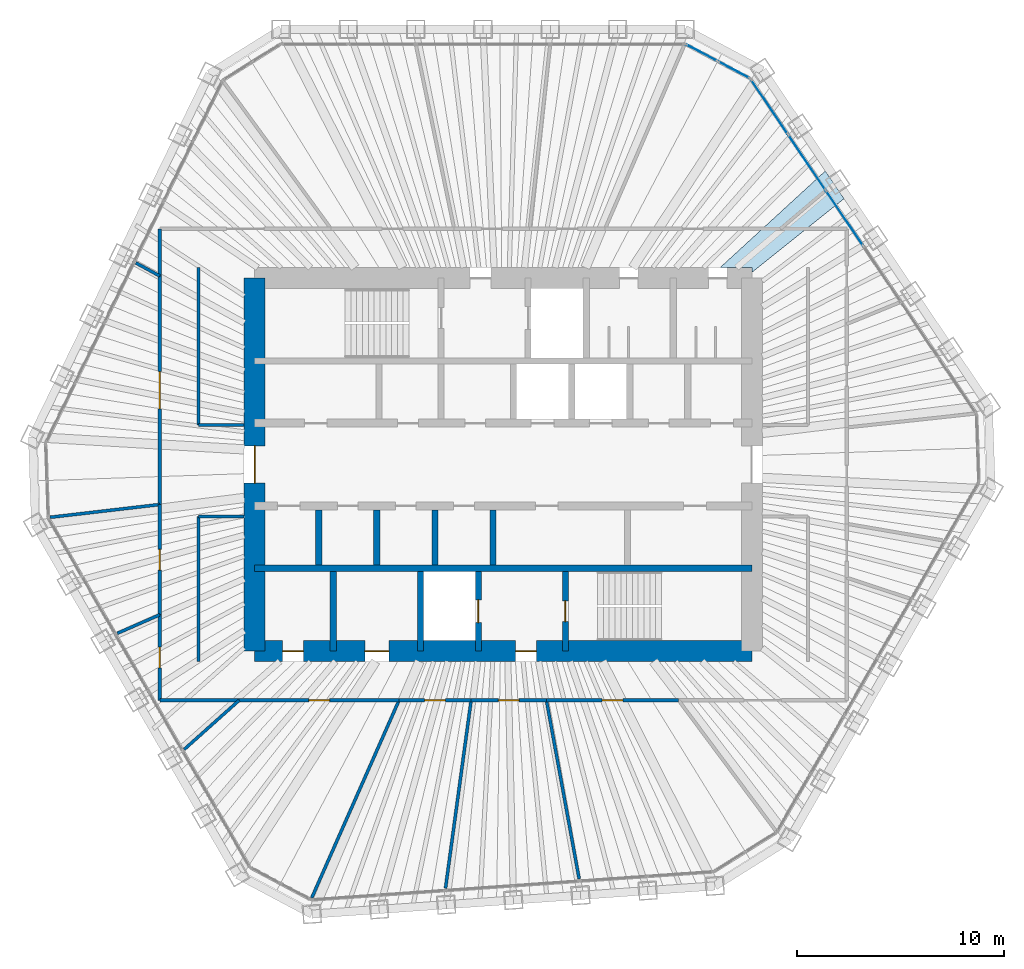
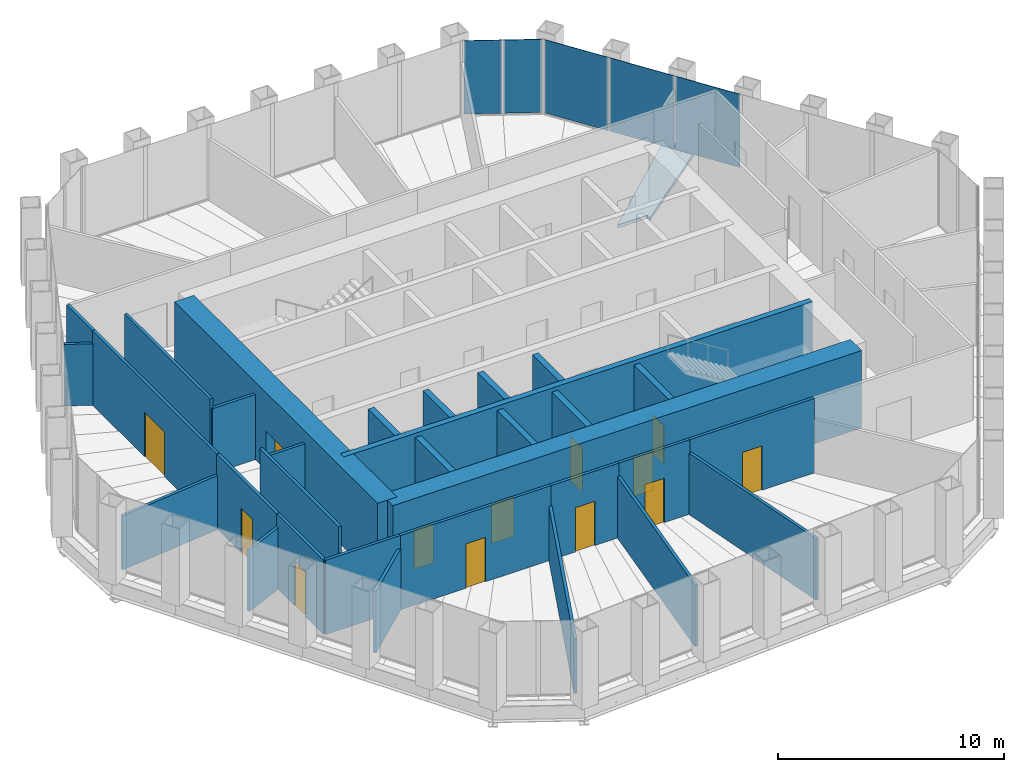
# One storey, part 11 of 14: 31 walls, 13 doors, 5 plates, 1 slab, 13 openings, 2 elements without a shape of their own.
"""IFC4 building model written with IfcOpenShell, lengths in metres."""

from ifc_helpers import new_model, si_unit, direction, frame, frame_2d, origin, origin_2d, place, context, subcontext, project, spatial, polyline, rectangle, outline, extrude, material, layer, layer_set, type_object, element, fill, aggregate, save


model = new_model("IFC4")

# Units and contexts
model_context = context("Model", 3, precision=1e-05, world=origin(), true_north=direction((0.0, 1.0)))
body_context = subcontext(model_context, "Body", "Model", "MODEL_VIEW")
ifc_project = project(units=[si_unit("LENGTHUNIT", "METRE"), si_unit("AREAUNIT", "SQUARE_METRE"), si_unit("VOLUMEUNIT", "CUBIC_METRE"), si_unit("PLANEANGLEUNIT", "RADIAN"), si_unit("MASSUNIT", "GRAM", prefix="KILO")], contexts=[model_context])

# Site, building, storey
site_placement = place(None, origin())
site = spatial("IfcSite", under=ifc_project, at=site_placement, CompositionType="ELEMENT")
building_placement = place(site_placement, origin())
building = spatial("IfcBuilding", under=site, at=building_placement, Name="Qingtian Harvest Tower", CompositionType="ELEMENT")
storey_placement = place(building_placement, frame((0.0, 0.0, 283.0)))
storey = spatial("IfcBuildingStorey", under=building, at=storey_placement, Name="L62", CompositionType="ELEMENT", Elevation=283.0)

# Slab
ifc_material_1 = material(Name="Concrete fc' 35 MPa", Category="concrete")
ifc_layer_1 = layer(ifc_material_1, 0.169921875)
ifc_layer_set_1 = layer_set([ifc_layer_1], Name="Composite floor slab FS17 170")
slab_type = type_object("IfcSlabType", Name="Composite floor slab FS17 170", PredefinedType="FLOOR", material=ifc_layer_set_1)
slab_placement = place(storey_placement, frame((0.0, 0.0, -0.169921875)))
element("IfcSlab", 1, at=slab_placement, inside=storey, type_object=slab_type, Name="Floor slab L62 panel D48", PredefinedType="FLOOR", context=body_context, shape_type="SweptSolid", body=[
    extrude(outline(polyline([(12.0, 9.5), (10.4599609375, 9.5), (15.541259765625, 14.16455078125), (16.44189453125, 12.829345703125), (12.0, 9.2734375), (12.0, 9.5)])), origin(), (0.0, 0.0, 1.0), 0.169921875),
])

# Curtain wall, plates
ifc_material_2 = material(Name="Bronze-anodised aluminium curtain wall", Category="aluminium")
curtain_wall_type = type_object("IfcCurtainWallType", Name="Curtain wall CW5 upper office", PredefinedType="USERDEFINED", material=ifc_material_2)
curtain_wall_1_placement = place(storey_placement, origin())
curtain_wall_1 = element("IfcCurtainWall", 2, at=curtain_wall_1_placement, inside=storey, type_object=curtain_wall_type, Name="Curtain wall CW5 L62 NC", ObjectType="RECESSED CURTAIN WALL", PredefinedType="USERDEFINED")
ifc_material_3 = material(Name="Bronze-tinted laminated insulating glass", Category="glass")
ifc_layer_2 = layer(ifc_material_3, 0.030029296875)
ifc_layer_set_2 = layer_set([ifc_layer_2], Name="Glazed panel CWP tinted IGU")
plate_type = type_object("IfcPlateType", Name="Glazed panel CWP tinted IGU", PredefinedType="CURTAIN_PANEL", material=ifc_layer_set_2)
plate_1_placement = place(storey_placement, frame((9.57080078125, 19.8720703125, 0.06494140625), z_axis=(0.0, 0.0, 1.0), x_axis=(0.882947592859, -0.469471562786, 0.0)))
plate_1 = element("IfcPlate", 3, at=plate_1_placement, type_object=plate_type, Name="CW5 panel 1.1", PredefinedType="CURTAIN_PANEL", context=body_context, shape_type="SweptSolid", body=[
    extrude(rectangle(XDim=1.69287109375, YDim=0.030029296875, at=origin_2d()), origin(), (0.0, 0.0, 1.0), 3.965087890625),
])
plate_2_placement = place(storey_placement, frame((11.122802734375, 19.046875, 0.06494140625), z_axis=(0.0, 0.0, 1.0), x_axis=(0.882947592859, -0.469471562786, 0.0)))
plate_2 = element("IfcPlate", 4, at=plate_2_placement, type_object=plate_type, Name="CW5 panel 2.1", PredefinedType="CURTAIN_PANEL", context=body_context, shape_type="SweptSolid", body=[
    extrude(rectangle(XDim=1.69287109375, YDim=0.030029296875, at=origin_2d()), origin(), (0.0, 0.0, 1.0), 3.965087890625),
])
aggregate(curtain_wall_1, [plate_1, plate_2])

curtain_wall_2_placement = place(storey_placement, origin())
curtain_wall_2 = element("IfcCurtainWall", 5, at=curtain_wall_2_placement, inside=storey, type_object=curtain_wall_type, Name="Curtain wall CW5 L62 NE0-5", ObjectType="RECESSED CURTAIN WALL", PredefinedType="USERDEFINED")
plate_3_placement = place(storey_placement, frame((12.844970703125, 17.259033203125, 0.06494140625), z_axis=(0.0, 0.0, 1.0), x_axis=(0.559192903471, -0.829037572555, 0.0)))
plate_3 = element("IfcPlate", 6, at=plate_3_placement, type_object=plate_type, Name="CW5 panel 1.1", PredefinedType="CURTAIN_PANEL", context=body_context, shape_type="SweptSolid", body=[
    extrude(rectangle(XDim=3.150634765625, YDim=0.030029296875, at=origin_2d()), origin(), (0.0, 0.0, 1.0), 3.965087890625),
])
plate_4_placement = place(storey_placement, frame((14.652099609375, 14.579833984375, 0.06494140625), z_axis=(0.0, 0.0, 1.0), x_axis=(0.559192903471, -0.829037572555, 0.0)))
plate_4 = element("IfcPlate", 7, at=plate_4_placement, type_object=plate_type, Name="CW5 panel 2.1", PredefinedType="CURTAIN_PANEL", context=body_context, shape_type="SweptSolid", body=[
    extrude(rectangle(XDim=3.18310546875, YDim=0.030029296875, at=origin_2d()), origin(), (0.0, 0.0, 1.0), 3.965087890625),
])
plate_5_placement = place(storey_placement, frame((16.46826171875, 11.886962890625, 0.06494140625), z_axis=(0.0, 0.0, 1.0), x_axis=(0.559192903471, -0.829037572555, 0.0)))
plate_5 = element("IfcPlate", 8, at=plate_5_placement, type_object=plate_type, Name="CW5 panel 3.1", PredefinedType="CURTAIN_PANEL", context=body_context, shape_type="SweptSolid", body=[
    extrude(rectangle(XDim=3.18310546875, YDim=0.030029296875, at=origin_2d()), origin(), (0.0, 0.0, 1.0), 3.965087890625),
])
aggregate(curtain_wall_2, [plate_3, plate_4, plate_5])

# Walls
ifc_material_4 = material(Name="Concrete fc' 70 MPa", Category="concrete")
ifc_layer_3 = layer(ifc_material_4, 0.300048828125)
ifc_layer_set_3 = layer_set([ifc_layer_3], Name="Core inner wall RC5 300")
wall_type_1 = type_object("IfcWallType", Name="Core inner wall RC5 300", PredefinedType="SHEAR", material=ifc_layer_set_3)
wall_1_placement = place(storey_placement, frame((-12.0, -5.0, 0.0), z_axis=(0.0, 0.0, 1.0), x_axis=(1.0, 0.0, 0.0)))
element("IfcWall", 9, at=wall_1_placement, inside=storey, type_object=wall_type_1, Name="Core wall IS5 L62", PredefinedType="SHEAR", context=body_context, shape_type="SweptSolid", body=[
    extrude(rectangle(XDim=24.0, YDim=0.300048828125, at=frame_2d((12.0, 0.0))), origin(), (0.0, 0.0, 1.0), 4.199951171875),
])
ifc_material_5 = material(Name="Precast concrete shaft panel", Category="concrete")
ifc_layer_4 = layer(ifc_material_5, 0.300048828125)
ifc_layer_set_4 = layer_set([ifc_layer_4], Name="Core shaft partition SW1 300")
wall_type_2 = type_object("IfcWallType", Name="Core shaft partition SW1 300", PredefinedType="PARTITIONING", material=ifc_layer_set_4)
for number, where, z_axis, x_axis, name in (
    (10, (-8.89990234375, -4.85009765625, 0.0), (0.0, 0.0, 1.0), (0.0, 1.0, 0.0), "Core shaft partition XB1 L62"),
    (11, (-6.10009765625, -4.85009765625, 0.0), (0.0, 0.0, 1.0), (0.0, 1.0, 0.0), "Core shaft partition XB2 L62"),
    (12, (-3.300048828125, -4.85009765625, 0.0), (0.0, 0.0, 1.0), (0.0, 1.0, 0.0), "Core shaft partition XB3 L62"),
    (13, (-0.5, -4.85009765625, 0.0), (0.0, 0.0, 1.0), (0.0, 1.0, 0.0), "Core shaft partition XB4 L62"),
):
    element("IfcWall", number, at=place(storey_placement, frame(where, z_axis=z_axis, x_axis=x_axis)), inside=storey, type_object=wall_type_2, Name=name, PredefinedType="PARTITIONING", context=body_context, shape_type="SweptSolid", body=[
        extrude(rectangle(XDim=2.650146484375, YDim=0.300048828125, at=frame_2d((1.3251953125, 0.0))), origin(), (0.0, 0.0, 1.0), 3.97998046875),
    ])
for number, where, z_axis, x_axis, name in (
    (14, (-8.199951171875, -9.0, 0.0), (0.0, 0.0, 1.0), (0.0, 1.0, 0.0), "Core shaft partition XS1 L62"),
    (15, (-4.0, -9.0, 0.0), (0.0, 0.0, 1.0), (0.0, 1.0, 0.0), "Core shaft partition XS2 L62"),
):
    element("IfcWall", number, at=place(storey_placement, frame(where, z_axis=z_axis, x_axis=x_axis)), inside=storey, type_object=wall_type_2, Name=name, PredefinedType="PARTITIONING", context=body_context, shape_type="SweptSolid", body=[
        extrude(rectangle(XDim=3.85009765625, YDim=0.300048828125, at=frame_2d((1.925048828125, 0.0))), origin(), (0.0, 0.0, 1.0), 3.97998046875),
    ])

# Wall, opening, door
wall_2_placement = place(storey_placement, frame((-1.199951171875, -9.0, 0.0), z_axis=(0.0, 0.0, 1.0), x_axis=(0.0, 1.0, 0.0)))
wall_2 = element("IfcWall", 16, at=wall_2_placement, inside=storey, type_object=wall_type_2, Name="Core shaft partition XS3 L62", PredefinedType="PARTITIONING", context=body_context, shape_type="SweptSolid", body=[
    extrude(rectangle(XDim=3.85009765625, YDim=0.300048828125, at=frame_2d((1.925048828125, 0.0))), origin(), (0.0, 0.0, 1.0), 3.97998046875),
])
opening_1_placement = place(wall_2_placement, frame((1.375, 0.0, 0.0)))
opening_1 = element("IfcOpeningElement", 17, at=opening_1_placement, cuts=wall_2, Name="Opening LD1", PredefinedType="OPENING", context=body_context, shape_type="SweptSolid", body=[
    extrude(rectangle(XDim=1.10009765625, YDim=2.39990234375, at=frame_2d((0.550048828125, 1.199951171875))), frame((0.0, 0.159912109375, 0.0), z_axis=(0.0, -1.0, 0.0), x_axis=(1.0, 0.0, 0.0)), (0.0, 0.0, 1.0), 0.320068359375),
])
ifc_material_6 = material(Name="Stainless steel lift landing door", Category="steel")
door_type_1 = type_object("IfcDoorType", Name="Lift landing door LD1 1 HR", OperationType="DOUBLE_DOOR_SLIDING", PredefinedType="DOOR", material=ifc_material_6)
door_1_placement = place(opening_1_placement, origin())
door_1 = element("IfcDoor", 18, at=door_1_placement, inside=storey, type_object=door_type_1, Name="FL2 landing door L62", OperationType="DOUBLE_DOOR_SLIDING", OverallHeight=2.39990234375, OverallWidth=1.10009765625, PredefinedType="DOOR", context=body_context, shape_type="SweptSolid", body=[
    extrude(rectangle(XDim=1.10009765625, YDim=2.39990234375, at=frame_2d((0.550048828125, 1.199951171875))), frame((0.0, 0.02490234375, 0.0), z_axis=(0.0, -1.0, 0.0), x_axis=(1.0, 0.0, 0.0)), (0.0, 0.0, 1.0), 0.050048828125),
])
fill(opening_1, door_1)

wall_3_placement = place(storey_placement, frame((3.0, -9.0, 0.0), z_axis=(0.0, 0.0, 1.0), x_axis=(0.0, 1.0, 0.0)))
wall_3 = element("IfcWall", 19, at=wall_3_placement, inside=storey, type_object=wall_type_2, Name="Core shaft partition XS4 L62", PredefinedType="PARTITIONING", context=body_context, shape_type="SweptSolid", body=[
    extrude(rectangle(XDim=3.85009765625, YDim=0.300048828125, at=frame_2d((1.925048828125, 0.0))), origin(), (0.0, 0.0, 1.0), 3.97998046875),
])
opening_2_placement = place(wall_3_placement, frame((1.425048828125, 0.0, 0.0)))
opening_2 = element("IfcOpeningElement", 20, at=opening_2_placement, cuts=wall_3, Name="Opening FD1", PredefinedType="OPENING", context=body_context, shape_type="SweptSolid", body=[
    extrude(rectangle(XDim=1.0, YDim=2.10009765625, at=frame_2d((0.5, 1.050048828125))), frame((0.0, 0.159912109375, 0.0), z_axis=(0.0, -1.0, 0.0), x_axis=(1.0, 0.0, 0.0)), (0.0, 0.0, 1.0), 0.320068359375),
])
ifc_material_7 = material(Name="Steel-faced door leaf", Category="steel")
door_type_2 = type_object("IfcDoorType", Name="Fire door FD1 single 1 HR", OperationType="SINGLE_SWING_LEFT", PredefinedType="DOOR", material=ifc_material_7)
door_2_placement = place(opening_2_placement, origin())
door_2 = element("IfcDoor", 21, at=door_2_placement, inside=storey, type_object=door_type_2, Name="S2 door L62", OperationType="SINGLE_SWING_LEFT", OverallHeight=2.10009765625, OverallWidth=1.0, PredefinedType="DOOR", context=body_context, shape_type="SweptSolid", body=[
    extrude(rectangle(XDim=1.0, YDim=2.10009765625, at=frame_2d((0.5, 1.050048828125))), frame((0.0, 0.02490234375, 0.0), z_axis=(0.0, -1.0, 0.0), x_axis=(1.0, 0.0, 0.0)), (0.0, 0.0, 1.0), 0.050048828125),
])
fill(opening_2, door_2)

# Wall, openings, doors
ifc_material_8 = material(Name="Concrete fc' 70 MPa", Category="concrete")
ifc_layer_5 = layer(ifc_material_8, 1.0)
ifc_layer_set_5 = layer_set([ifc_layer_5], Name="Core wall RC3 1000")
wall_type_3 = type_object("IfcWallType", Name="Core wall RC3 1000", PredefinedType="SHEAR", material=ifc_layer_set_5)
wall_4_placement = place(storey_placement, frame((-12.0, -9.0, 0.0), z_axis=(0.0, 0.0, 1.0), x_axis=(1.0, 0.0, 0.0)))
wall_4 = element("IfcWall", 22, at=wall_4_placement, inside=storey, type_object=wall_type_3, Name="Core wall CS L62", PredefinedType="SHEAR", context=body_context, shape_type="SweptSolid", body=[
    extrude(rectangle(XDim=24.0, YDim=1.0, at=frame_2d((12.0, 0.0))), origin(), (0.0, 0.0, 1.0), 4.199951171875),
])
opening_3_placement = place(wall_4_placement, frame((1.35009765625, 0.0, 0.0)))
opening_3 = element("IfcOpeningElement", 23, at=opening_3_placement, cuts=wall_4, Name="Opening FD1", PredefinedType="OPENING", context=body_context, shape_type="SweptSolid", body=[
    extrude(rectangle(XDim=1.0, YDim=2.10009765625, at=frame_2d((0.5, 1.050048828125))), frame((0.0, 0.510009765625, 0.0), z_axis=(0.0, -1.0, 0.0), x_axis=(1.0, 0.0, 0.0)), (0.0, 0.0, 1.0), 1.02001953125),
])
opening_4_placement = place(wall_4_placement, frame((5.324951171875, 0.0, 0.0)))
opening_4 = element("IfcOpeningElement", 24, at=opening_4_placement, cuts=wall_4, Name="Opening AD1", PredefinedType="OPENING", context=body_context, shape_type="SweptSolid", body=[
    extrude(rectangle(XDim=1.14990234375, YDim=2.10009765625, at=frame_2d((0.574951171875, 1.050048828125))), frame((0.0, 0.510009765625, 0.0), z_axis=(0.0, -1.0, 0.0), x_axis=(1.0, 0.0, 0.0)), (0.0, 0.0, 1.0), 1.02001953125),
])
opening_5_placement = place(wall_4_placement, frame((12.60009765625, 0.0, 0.0)))
opening_5 = element("IfcOpeningElement", 25, at=opening_5_placement, cuts=wall_4, Name="Opening FD1", PredefinedType="OPENING", context=body_context, shape_type="SweptSolid", body=[
    extrude(rectangle(XDim=1.0, YDim=2.10009765625, at=frame_2d((0.5, 1.050048828125))), frame((0.0, 0.510009765625, 0.0), z_axis=(0.0, -1.0, 0.0), x_axis=(1.0, 0.0, 0.0)), (0.0, 0.0, 1.0), 1.02001953125),
])
ifc_material_9 = material(Name="Laminated timber door leaf", Category="wood")
door_type_3 = type_object("IfcDoorType", Name="Accessible WC door AD1 single", OperationType="SINGLE_SWING_LEFT", PredefinedType="DOOR", material=ifc_material_9)
door_3_placement = place(opening_4_placement, origin())
door_3 = element("IfcDoor", 26, at=door_3_placement, inside=storey, type_object=door_type_3, Name="AWC door L62", OperationType="SINGLE_SWING_RIGHT", OverallHeight=2.10009765625, OverallWidth=1.14990234375, PredefinedType="DOOR", context=body_context, shape_type="SweptSolid", body=[
    extrude(rectangle(XDim=1.14990234375, YDim=2.10009765625, at=frame_2d((0.574951171875, 1.050048828125))), frame((0.0, 0.02490234375, 0.0), z_axis=(0.0, -1.0, 0.0), x_axis=(1.0, 0.0, 0.0)), (0.0, 0.0, 1.0), 0.050048828125),
])
fill(opening_4, door_3)
door_4_placement = place(opening_3_placement, origin())
door_4 = element("IfcDoor", 27, at=door_4_placement, inside=storey, type_object=door_type_2, Name="CLN door L62", OperationType="SINGLE_SWING_LEFT", OverallHeight=2.10009765625, OverallWidth=1.0, PredefinedType="DOOR", context=body_context, shape_type="SweptSolid", body=[
    extrude(rectangle(XDim=1.0, YDim=2.10009765625, at=frame_2d((0.5, 1.050048828125))), frame((0.0, 0.02490234375, 0.0), z_axis=(0.0, -1.0, 0.0), x_axis=(1.0, 0.0, 0.0)), (0.0, 0.0, 1.0), 0.050048828125),
])
fill(opening_3, door_4)
door_5_placement = place(opening_5_placement, origin())
door_5 = element("IfcDoor", 28, at=door_5_placement, inside=storey, type_object=door_type_2, Name="V2 door L62", OperationType="SINGLE_SWING_LEFT", OverallHeight=2.10009765625, OverallWidth=1.0, PredefinedType="DOOR", context=body_context, shape_type="SweptSolid", body=[
    extrude(rectangle(XDim=1.0, YDim=2.10009765625, at=frame_2d((0.5, 1.050048828125))), frame((0.0, 0.02490234375, 0.0), z_axis=(0.0, -1.0, 0.0), x_axis=(1.0, 0.0, 0.0)), (0.0, 0.0, 1.0), 0.050048828125),
])
fill(opening_5, door_5)

# Wall, opening, door
wall_5_placement = place(storey_placement, frame((-12.0, -9.0, 0.0), z_axis=(0.0, 0.0, 1.0), x_axis=(0.0, 1.0, 0.0)))
wall_5 = element("IfcWall", 29, at=wall_5_placement, inside=storey, type_object=wall_type_3, Name="Core wall CW L62", PredefinedType="SHEAR", context=body_context, shape_type="SweptSolid", body=[
    extrude(rectangle(XDim=18.0, YDim=1.0, at=frame_2d((9.0, 0.0))), origin(), (0.0, 0.0, 1.0), 4.199951171875),
])
opening_6_placement = place(wall_5_placement, frame((8.10009765625, 0.0, 0.0)))
opening_6 = element("IfcOpeningElement", 30, at=opening_6_placement, cuts=wall_5, Name="Opening FD2", PredefinedType="OPENING", context=body_context, shape_type="SweptSolid", body=[
    extrude(rectangle(XDim=1.800048828125, YDim=2.10009765625, at=frame_2d((0.89990234375, 1.050048828125))), frame((0.0, 0.510009765625, 0.0), z_axis=(0.0, -1.0, 0.0), x_axis=(1.0, 0.0, 0.0)), (0.0, 0.0, 1.0), 1.02001953125),
])
ifc_material_10 = material(Name="Steel-faced door leaf", Category="steel")
door_type_4 = type_object("IfcDoorType", Name="Fire door FD2 double 1 HR", OperationType="DOUBLE_DOOR_DOUBLE_SWING", PredefinedType="DOOR", material=ifc_material_10)
door_6_placement = place(opening_6_placement, origin())
door_6 = element("IfcDoor", 31, at=door_6_placement, inside=storey, type_object=door_type_4, Name="LOBBY-W door L62", OperationType="DOUBLE_DOOR_DOUBLE_SWING", OverallHeight=2.10009765625, OverallWidth=1.800048828125, PredefinedType="DOOR", context=body_context, shape_type="SweptSolid", body=[
    extrude(rectangle(XDim=1.800048828125, YDim=2.10009765625, at=frame_2d((0.89990234375, 1.050048828125))), frame((0.0, 0.02490234375, 0.0), z_axis=(0.0, -1.0, 0.0), x_axis=(1.0, 0.0, 0.0)), (0.0, 0.0, 1.0), 0.050048828125),
])
fill(opening_6, door_6)

ifc_material_11 = material(Name="Gypsum board on steel studs", Category="steel")
ifc_layer_6 = layer(ifc_material_11, 0.14990234375)
ifc_layer_set_6 = layer_set([ifc_layer_6], Name="Partition PT1 150")
wall_type_4 = type_object("IfcWallType", Name="Partition PT1 150", PredefinedType="PARTITIONING", material=ifc_layer_set_6)
wall_6_placement = place(storey_placement, frame((8.46142578125, -11.375, 0.0), z_axis=(0.0, 0.0, 1.0), x_axis=(-1.0, 0.0, 0.0)))
wall_6 = element("IfcWall", 32, at=wall_6_placement, inside=storey, type_object=wall_type_4, Name="Pantry wall L62", PredefinedType="PARTITIONING", context=body_context, shape_type="SweptSolid", body=[
    extrude(rectangle(XDim=6.3779296875, YDim=0.14990234375, at=frame_2d((3.18896484375, 0.0))), origin(), (0.0, 0.0, 1.0), 4.030029296875),
])
opening_7_placement = place(wall_6_placement, frame((2.68896484375, 0.0, 0.0)))
opening_7 = element("IfcOpeningElement", 33, at=opening_7_placement, cuts=wall_6, Name="Opening D2", PredefinedType="OPENING", context=body_context, shape_type="SweptSolid", body=[
    extrude(rectangle(XDim=1.0, YDim=2.39990234375, at=frame_2d((0.5, 1.199951171875))), frame((0.0, 0.0849609375, 0.0), z_axis=(0.0, -1.0, 0.0), x_axis=(1.0, 0.0, 0.0)), (0.0, 0.0, 1.0), 0.169921875),
])
ifc_material_12 = material(Name="Laminated timber door leaf", Category="wood")
door_type_5 = type_object("IfcDoorType", Name="Room door D2 single", OperationType="SINGLE_SWING_LEFT", PredefinedType="DOOR", material=ifc_material_12)
door_7_placement = place(opening_7_placement, origin())
door_7 = element("IfcDoor", 34, at=door_7_placement, inside=storey, type_object=door_type_5, Name="Pantry door L62", OperationType="SINGLE_SWING_RIGHT", OverallHeight=2.39990234375, OverallWidth=1.0, PredefinedType="DOOR", context=body_context, shape_type="SweptSolid", body=[
    extrude(rectangle(XDim=1.0, YDim=2.39990234375, at=frame_2d((0.5, 1.199951171875))), frame((0.0, 0.02490234375, 0.0), z_axis=(0.0, -1.0, 0.0), x_axis=(1.0, 0.0, 0.0)), (0.0, 0.0, 1.0), 0.050048828125),
])
fill(opening_7, door_7)

# Wall
wall_7_placement = place(storey_placement, frame((3.662353515625, -19.993896484375, 0.0), z_axis=(0.0, 0.0, 1.0), x_axis=(-0.18018724377, 0.983632328252, 0.0)))
element("IfcWall", 35, at=wall_7_placement, inside=storey, type_object=wall_type_4, Name="Print room wall L62", PredefinedType="PARTITIONING", context=body_context, shape_type="SweptSolid", body=[
    extrude(rectangle(XDim=8.76220703125, YDim=0.14990234375, at=frame_2d((4.381103515625, 0.0))), origin(), (0.0, 0.0, 1.0), 3.330078125),
])

# Wall, opening, door
wall_8_placement = place(storey_placement, frame((2.08349609375, -11.375, 0.0), z_axis=(0.0, 0.0, 1.0), x_axis=(-1.0, 0.0, 0.0)))
wall_8 = element("IfcWall", 36, at=wall_8_placement, inside=storey, type_object=wall_type_4, Name="Print room wall L62", PredefinedType="PARTITIONING", context=body_context, shape_type="SweptSolid", body=[
    extrude(rectangle(XDim=3.633544921875, YDim=0.14990234375, at=frame_2d((1.81689453125, 0.0))), origin(), (0.0, 0.0, 1.0), 4.030029296875),
])
opening_8_placement = place(wall_8_placement, frame((1.31689453125, 0.0, 0.0)))
opening_8 = element("IfcOpeningElement", 37, at=opening_8_placement, cuts=wall_8, Name="Opening D2", PredefinedType="OPENING", context=body_context, shape_type="SweptSolid", body=[
    extrude(rectangle(XDim=1.0, YDim=2.39990234375, at=frame_2d((0.5, 1.199951171875))), frame((0.0, 0.0849609375, 0.0), z_axis=(0.0, -1.0, 0.0), x_axis=(1.0, 0.0, 0.0)), (0.0, 0.0, 1.0), 0.169921875),
])
door_8_placement = place(opening_8_placement, origin())
door_8 = element("IfcDoor", 38, at=door_8_placement, inside=storey, type_object=door_type_5, Name="Print room door L62", OperationType="SINGLE_SWING_RIGHT", OverallHeight=2.39990234375, OverallWidth=1.0, PredefinedType="DOOR", context=body_context, shape_type="SweptSolid", body=[
    extrude(rectangle(XDim=1.0, YDim=2.39990234375, at=frame_2d((0.5, 1.199951171875))), frame((0.0, 0.02490234375, 0.0), z_axis=(0.0, -1.0, 0.0), x_axis=(1.0, 0.0, 0.0)), (0.0, 0.0, 1.0), 0.050048828125),
])
fill(opening_8, door_8)

# Wall
wall_9_placement = place(storey_placement, frame((-2.786376953125, -20.4462890625, 0.0), z_axis=(0.0, 0.0, 1.0), x_axis=(0.135041803834, 0.99083990191, 0.0)))
element("IfcWall", 39, at=wall_9_placement, inside=storey, type_object=wall_type_4, Name="Meeting room wall L62", PredefinedType="PARTITIONING", context=body_context, shape_type="SweptSolid", body=[
    extrude(rectangle(XDim=9.155029296875, YDim=0.14990234375, at=frame_2d((4.57763671875, 0.0))), origin(), (0.0, 0.0, 1.0), 3.330078125),
])

# Wall, opening, door
wall_10_placement = place(storey_placement, frame((-1.550048828125, -11.375, 0.0), z_axis=(0.0, 0.0, 1.0), x_axis=(-1.0, 0.0, 0.0)))
wall_10 = element("IfcWall", 40, at=wall_10_placement, inside=storey, type_object=wall_type_4, Name="Meeting room wall L62", PredefinedType="PARTITIONING", context=body_context, shape_type="SweptSolid", body=[
    extrude(rectangle(XDim=3.47705078125, YDim=0.14990234375, at=frame_2d((1.738525390625, 0.0))), origin(), (0.0, 0.0, 1.0), 4.030029296875),
])
opening_9_placement = place(wall_10_placement, frame((1.238525390625, 0.0, 0.0)))
opening_9 = element("IfcOpeningElement", 41, at=opening_9_placement, cuts=wall_10, Name="Opening D2", PredefinedType="OPENING", context=body_context, shape_type="SweptSolid", body=[
    extrude(rectangle(XDim=1.0, YDim=2.39990234375, at=frame_2d((0.5, 1.199951171875))), frame((0.0, 0.0849609375, 0.0), z_axis=(0.0, -1.0, 0.0), x_axis=(1.0, 0.0, 0.0)), (0.0, 0.0, 1.0), 0.169921875),
])
door_9_placement = place(opening_9_placement, origin())
door_9 = element("IfcDoor", 42, at=door_9_placement, inside=storey, type_object=door_type_5, Name="Meeting room door L62", OperationType="SINGLE_SWING_LEFT", OverallHeight=2.39990234375, OverallWidth=1.0, PredefinedType="DOOR", context=body_context, shape_type="SweptSolid", body=[
    extrude(rectangle(XDim=1.0, YDim=2.39990234375, at=frame_2d((0.5, 1.199951171875))), frame((0.0, 0.02490234375, 0.0), z_axis=(0.0, -1.0, 0.0), x_axis=(1.0, 0.0, 0.0)), (0.0, 0.0, 1.0), 0.050048828125),
])
fill(opening_9, door_9)

# Wall
wall_11_placement = place(storey_placement, frame((-9.23974609375, -20.906982421875, 0.0), z_axis=(0.0, 0.0, 1.0), x_axis=(0.404231308238, 0.914656793251, 0.0)))
element("IfcWall", 43, at=wall_11_placement, inside=storey, type_object=wall_type_4, Name="Workplace zone wall L62", PredefinedType="PARTITIONING", context=body_context, shape_type="SweptSolid", body=[
    extrude(rectangle(XDim=10.42138671875, YDim=0.14990234375, at=frame_2d((5.210693359375, 0.0))), origin(), (0.0, 0.0, 1.0), 2.929931640625),
])

# Wall, opening, door
wall_12_placement = place(storey_placement, frame((-5.027099609375, -11.375, 0.0), z_axis=(0.0, 0.0, 1.0), x_axis=(-1.0, 0.0, 0.0)))
wall_12 = element("IfcWall", 44, at=wall_12_placement, inside=storey, type_object=wall_type_4, Name="Workplace zone wall L62", PredefinedType="PARTITIONING", context=body_context, shape_type="SweptSolid", body=[
    extrude(rectangle(XDim=7.712890625, YDim=0.14990234375, at=frame_2d((3.8564453125, 0.0))), origin(), (0.0, 0.0, 1.0), 4.030029296875),
])
opening_10_placement = place(wall_12_placement, frame((3.3564453125, 0.0, 0.0)))
opening_10 = element("IfcOpeningElement", 45, at=opening_10_placement, cuts=wall_12, Name="Opening D2", PredefinedType="OPENING", context=body_context, shape_type="SweptSolid", body=[
    extrude(rectangle(XDim=1.0, YDim=2.39990234375, at=frame_2d((0.5, 1.199951171875))), frame((0.0, 0.0849609375, 0.0), z_axis=(0.0, -1.0, 0.0), x_axis=(1.0, 0.0, 0.0)), (0.0, 0.0, 1.0), 0.169921875),
])
door_10_placement = place(opening_10_placement, origin())
door_10 = element("IfcDoor", 46, at=door_10_placement, inside=storey, type_object=door_type_5, Name="Workplace zone door L62", OperationType="SINGLE_SWING_LEFT", OverallHeight=2.39990234375, OverallWidth=1.0, PredefinedType="DOOR", context=body_context, shape_type="SweptSolid", body=[
    extrude(rectangle(XDim=1.0, YDim=2.39990234375, at=frame_2d((0.5, 1.199951171875))), frame((0.0, 0.02490234375, 0.0), z_axis=(0.0, -1.0, 0.0), x_axis=(1.0, 0.0, 0.0)), (0.0, 0.0, 1.0), 0.050048828125),
])
fill(opening_10, door_10)

# Walls
wall_13_placement = place(storey_placement, frame((-15.392578125, -13.743408203125, 0.0), z_axis=(0.0, 0.0, 1.0), x_axis=(0.745934007174, 0.666019862273, 0.0)))
element("IfcWall", 47, at=wall_13_placement, inside=storey, type_object=wall_type_4, Name="Meeting room wall L62", PredefinedType="PARTITIONING", context=body_context, shape_type="SweptSolid", body=[
    extrude(rectangle(XDim=3.55615234375, YDim=0.14990234375, at=frame_2d((1.778076171875, 0.0))), origin(), (0.0, 0.0, 1.0), 3.330078125),
])
wall_14_placement = place(storey_placement, frame((-12.739990234375, -11.375, 0.0), z_axis=(0.0, 0.0, 1.0), x_axis=(-1.0, 0.0, 0.0)))
element("IfcWall", 48, at=wall_14_placement, inside=storey, type_object=wall_type_4, Name="Meeting room wall L62", PredefinedType="PARTITIONING", context=body_context, shape_type="SweptSolid", body=[
    extrude(rectangle(XDim=3.8349609375, YDim=0.14990234375, at=frame_2d((1.91748046875, 0.0))), origin(), (0.0, 0.0, 1.0), 4.030029296875),
])

# Wall, opening, door
wall_15_placement = place(storey_placement, frame((-16.574951171875, -11.375, 0.0), z_axis=(0.0, 0.0, 1.0), x_axis=(0.0, 1.0, 0.0)))
wall_15 = element("IfcWall", 49, at=wall_15_placement, inside=storey, type_object=wall_type_4, Name="Meeting room wall L62", PredefinedType="PARTITIONING", context=body_context, shape_type="SweptSolid", body=[
    extrude(rectangle(XDim=4.126708984375, YDim=0.14990234375, at=frame_2d((2.0634765625, 0.0))), origin(), (0.0, 0.0, 1.0), 4.030029296875),
])
opening_11_placement = place(wall_15_placement, frame((1.563232421875, 0.0, 0.0)))
opening_11 = element("IfcOpeningElement", 50, at=opening_11_placement, cuts=wall_15, Name="Opening D2", PredefinedType="OPENING", context=body_context, shape_type="SweptSolid", body=[
    extrude(rectangle(XDim=1.0, YDim=2.39990234375, at=frame_2d((0.5, 1.199951171875))), frame((0.0, 0.0849609375, 0.0), z_axis=(0.0, -1.0, 0.0), x_axis=(1.0, 0.0, 0.0)), (0.0, 0.0, 1.0), 0.169921875),
])
door_11_placement = place(opening_11_placement, origin())
door_11 = element("IfcDoor", 51, at=door_11_placement, inside=storey, type_object=door_type_5, Name="Meeting room door L62", OperationType="SINGLE_SWING_LEFT", OverallHeight=2.39990234375, OverallWidth=1.0, PredefinedType="DOOR", context=body_context, shape_type="SweptSolid", body=[
    extrude(rectangle(XDim=1.0, YDim=2.39990234375, at=frame_2d((0.5, 1.199951171875))), frame((0.0, 0.02490234375, 0.0), z_axis=(0.0, -1.0, 0.0), x_axis=(1.0, 0.0, 0.0)), (0.0, 0.0, 1.0), 0.050048828125),
])
fill(opening_11, door_11)

# Wall
wall_16_placement = place(storey_placement, frame((-18.62353515625, -8.144287109375, 0.0), z_axis=(0.0, 0.0, 1.0), x_axis=(0.916199931106, 0.400721457176, 0.0)))
element("IfcWall", 52, at=wall_16_placement, inside=storey, type_object=wall_type_4, Name="Meeting room wall L62", PredefinedType="PARTITIONING", context=body_context, shape_type="SweptSolid", body=[
    extrude(rectangle(XDim=2.23583984375, YDim=0.14990234375, at=frame_2d((1.117919921875, 0.0))), origin(), (0.0, 0.0, 1.0), 3.330078125),
])

# Wall, opening, door
wall_17_placement = place(storey_placement, frame((-16.574951171875, -7.248291015625, 0.0), z_axis=(0.0, 0.0, 1.0), x_axis=(0.0, 1.0, 0.0)))
wall_17 = element("IfcWall", 53, at=wall_17_placement, inside=storey, type_object=wall_type_4, Name="Meeting room wall L62", PredefinedType="PARTITIONING", context=body_context, shape_type="SweptSolid", body=[
    extrude(rectangle(XDim=5.3173828125, YDim=0.14990234375, at=frame_2d((2.65869140625, 0.0))), origin(), (0.0, 0.0, 1.0), 4.030029296875),
])
opening_12_placement = place(wall_17_placement, frame((2.15869140625, 0.0, 0.0)))
opening_12 = element("IfcOpeningElement", 54, at=opening_12_placement, cuts=wall_17, Name="Opening D2", PredefinedType="OPENING", context=body_context, shape_type="SweptSolid", body=[
    extrude(rectangle(XDim=1.0, YDim=2.39990234375, at=frame_2d((0.5, 1.199951171875))), frame((0.0, 0.0849609375, 0.0), z_axis=(0.0, -1.0, 0.0), x_axis=(1.0, 0.0, 0.0)), (0.0, 0.0, 1.0), 0.169921875),
])
door_12_placement = place(opening_12_placement, origin())
door_12 = element("IfcDoor", 55, at=door_12_placement, inside=storey, type_object=door_type_5, Name="Meeting room door L62", OperationType="SINGLE_SWING_LEFT", OverallHeight=2.39990234375, OverallWidth=1.0, PredefinedType="DOOR", context=body_context, shape_type="SweptSolid", body=[
    extrude(rectangle(XDim=1.0, YDim=2.39990234375, at=frame_2d((0.5, 1.199951171875))), frame((0.0, 0.02490234375, 0.0), z_axis=(0.0, -1.0, 0.0), x_axis=(1.0, 0.0, 0.0)), (0.0, 0.0, 1.0), 0.050048828125),
])
fill(opening_12, door_12)

# Wall
wall_18_placement = place(storey_placement, frame((-21.864013671875, -2.546875, 0.0), z_axis=(0.0, 0.0, 1.0), x_axis=(0.993286690457, 0.115678652143, 0.0)))
element("IfcWall", 56, at=wall_18_placement, inside=storey, type_object=wall_type_4, Name="Meeting room wall L62", PredefinedType="PARTITIONING", context=body_context, shape_type="SweptSolid", body=[
    extrude(rectangle(XDim=5.32470703125, YDim=0.14990234375, at=frame_2d((2.662353515625, 0.0))), origin(), (0.0, 0.0, 1.0), 2.929931640625),
])

# Wall, opening, door
wall_19_placement = place(storey_placement, frame((-16.574951171875, -1.930908203125, 0.0), z_axis=(0.0, 0.0, 1.0), x_axis=(0.0, 1.0, 0.0)))
wall_19 = element("IfcWall", 57, at=wall_19_placement, inside=storey, type_object=wall_type_4, Name="Meeting room wall L62", PredefinedType="PARTITIONING", context=body_context, shape_type="SweptSolid", body=[
    extrude(rectangle(XDim=11.027587890625, YDim=0.14990234375, at=frame_2d((5.513671875, 0.0))), origin(), (0.0, 0.0, 1.0), 4.030029296875),
])
opening_13_placement = place(wall_19_placement, frame((4.61376953125, 0.0, 0.0)))
opening_13 = element("IfcOpeningElement", 58, at=opening_13_placement, cuts=wall_19, Name="Opening D3", PredefinedType="OPENING", context=body_context, shape_type="SweptSolid", body=[
    extrude(rectangle(XDim=1.800048828125, YDim=2.39990234375, at=frame_2d((0.89990234375, 1.199951171875))), frame((0.0, 0.0849609375, 0.0), z_axis=(0.0, -1.0, 0.0), x_axis=(1.0, 0.0, 0.0)), (0.0, 0.0, 1.0), 0.169921875),
])
ifc_material_13 = material(Name="Laminated timber door leaf", Category="wood")
door_type_6 = type_object("IfcDoorType", Name="Room door D3 double", OperationType="DOUBLE_DOOR_DOUBLE_SWING", PredefinedType="DOOR", material=ifc_material_13)
door_13_placement = place(opening_13_placement, origin())
door_13 = element("IfcDoor", 59, at=door_13_placement, inside=storey, type_object=door_type_6, Name="Meeting room door L62", OperationType="DOUBLE_DOOR_DOUBLE_SWING", OverallHeight=2.39990234375, OverallWidth=1.800048828125, PredefinedType="DOOR", context=body_context, shape_type="SweptSolid", body=[
    extrude(rectangle(XDim=1.800048828125, YDim=2.39990234375, at=frame_2d((0.89990234375, 1.199951171875))), frame((0.0, 0.02490234375, 0.0), z_axis=(0.0, -1.0, 0.0), x_axis=(1.0, 0.0, 0.0)), (0.0, 0.0, 1.0), 0.050048828125),
])
fill(opening_13, door_13)

# Walls
wall_20_placement = place(storey_placement, frame((-17.72900390625, 9.72998046875, 0.0), z_axis=(0.0, 0.0, 1.0), x_axis=(0.87667364743, -0.481085559855, 0.0)))
element("IfcWall", 60, at=wall_20_placement, inside=storey, type_object=wall_type_4, Name="Workplace zone wall L62", PredefinedType="PARTITIONING", context=body_context, shape_type="SweptSolid", body=[
    extrude(rectangle(XDim=1.31640625, YDim=0.14990234375, at=frame_2d((0.658203125, 0.0))), origin(), (0.0, 0.0, 1.0), 3.330078125),
])
wall_21_placement = place(storey_placement, frame((-16.574951171875, 9.0966796875, 0.0), z_axis=(0.0, 0.0, 1.0), x_axis=(0.0, 1.0, 0.0)))
element("IfcWall", 61, at=wall_21_placement, inside=storey, type_object=wall_type_4, Name="Workplace zone wall L62", PredefinedType="PARTITIONING", context=body_context, shape_type="SweptSolid", body=[
    extrude(rectangle(XDim=2.2783203125, YDim=0.14990234375, at=frame_2d((1.13916015625, 0.0))), origin(), (0.0, 0.0, 1.0), 4.030029296875),
])
wall_22_placement = place(storey_placement, frame((-14.699951171875, 1.89990234375, 0.0), z_axis=(0.0, 0.0, 1.0), x_axis=(0.0, 1.0, 0.0)))
element("IfcWall", 62, at=wall_22_placement, inside=storey, type_object=wall_type_4, Name="Breakout space wall L62", PredefinedType="PARTITIONING", context=body_context, shape_type="SweptSolid", body=[
    extrude(rectangle(XDim=7.60009765625, YDim=0.14990234375, at=frame_2d((3.800048828125, 0.0))), origin(), (0.0, 0.0, 1.0), 4.030029296875),
])
wall_23_placement = place(storey_placement, frame((-12.5, 1.89990234375, 0.0), z_axis=(0.0, 0.0, 1.0), x_axis=(-1.0, 0.0, 0.0)))
element("IfcWall", 63, at=wall_23_placement, inside=storey, type_object=wall_type_4, Name="Breakout space wall L62", PredefinedType="PARTITIONING", context=body_context, shape_type="SweptSolid", body=[
    extrude(rectangle(XDim=2.199951171875, YDim=0.14990234375, at=frame_2d((1.10009765625, 0.0))), origin(), (0.0, 0.0, 1.0), 3.530029296875),
])
wall_24_placement = place(storey_placement, frame((-14.699951171875, -9.5, 0.0), z_axis=(0.0, 0.0, 1.0), x_axis=(0.0, 1.0, 0.0)))
element("IfcWall", 64, at=wall_24_placement, inside=storey, type_object=wall_type_4, Name="Reading area wall L62", PredefinedType="PARTITIONING", context=body_context, shape_type="SweptSolid", body=[
    extrude(rectangle(XDim=7.0, YDim=0.14990234375, at=frame_2d((3.5, 0.0))), origin(), (0.0, 0.0, 1.0), 4.030029296875),
])
wall_25_placement = place(storey_placement, frame((-12.5, -2.5, 0.0), z_axis=(0.0, 0.0, 1.0), x_axis=(-1.0, 0.0, 0.0)))
element("IfcWall", 65, at=wall_25_placement, inside=storey, type_object=wall_type_4, Name="Reading area wall L62", PredefinedType="PARTITIONING", context=body_context, shape_type="SweptSolid", body=[
    extrude(rectangle(XDim=2.199951171875, YDim=0.14990234375, at=frame_2d((1.10009765625, 0.0))), origin(), (0.0, 0.0, 1.0), 3.530029296875),
])

save(model, "model.ifc")
